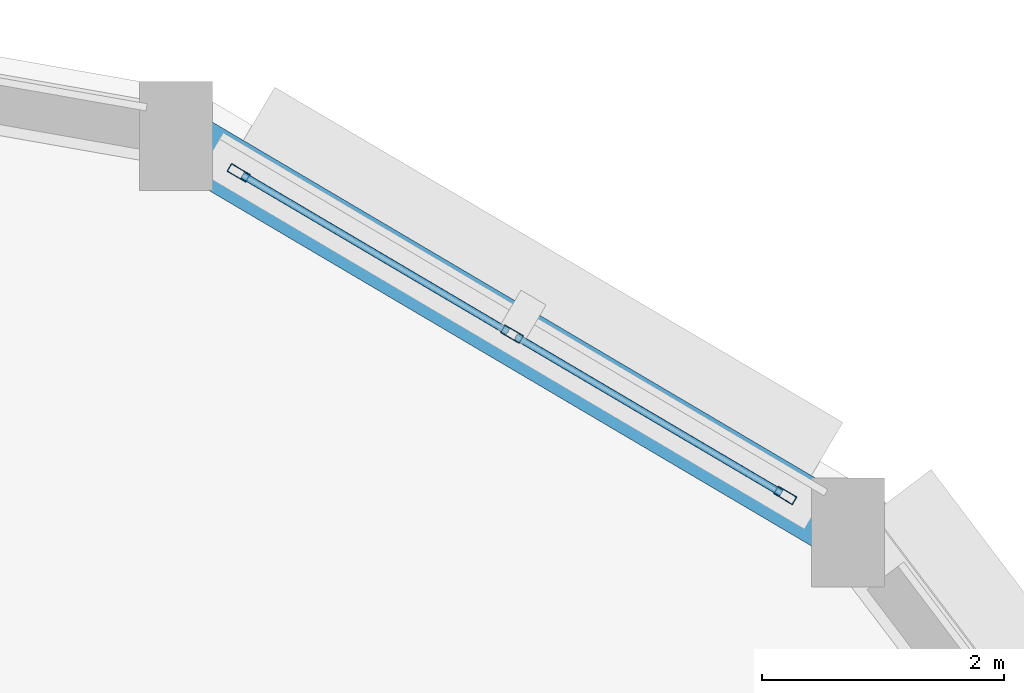
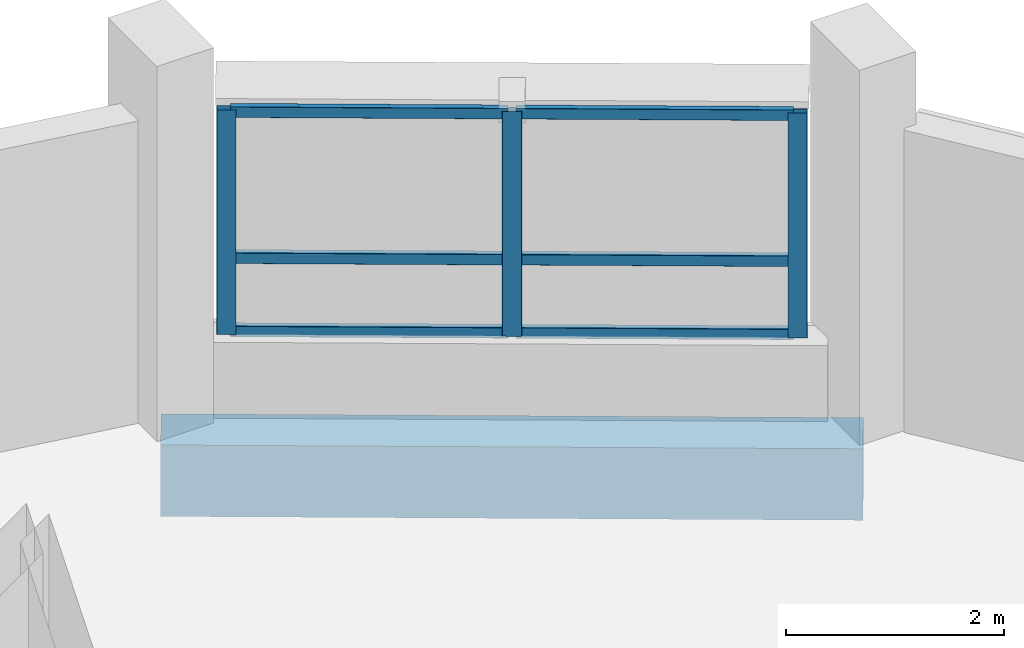
# One storey, part 99 of 128: 9 members, 1 beam, 1 element without a shape of its own.
"""IFC4 building model written with IfcOpenShell, lengths in metres."""

from ifc_helpers import new_model, si_unit, direction, frame, origin, origin_2d, place, context, subcontext, project, spatial, rectangle, hollow_rectangle, extrude, material, layer, layer_set, material_profile, profile_set, type_object, element, aggregate, save


model = new_model("IFC4")

# Units and contexts
model_context = context("Model", 3, precision=1e-05, world=origin(), true_north=direction((0.0, 1.0)))
body_context = subcontext(model_context, "Body", "Model", "MODEL_VIEW")
ifc_project = project(units=[si_unit("LENGTHUNIT", "METRE"), si_unit("AREAUNIT", "SQUARE_METRE"), si_unit("VOLUMEUNIT", "CUBIC_METRE"), si_unit("PLANEANGLEUNIT", "RADIAN"), si_unit("MASSUNIT", "GRAM", prefix="KILO")], contexts=[model_context])

# Site, building, storey
site_placement = place(None, origin())
site = spatial("IfcSite", under=ifc_project, at=site_placement, CompositionType="ELEMENT")
building_placement = place(site_placement, origin())
building = spatial("IfcBuilding", under=site, at=building_placement, Name="Vespera Passage Community Centre", CompositionType="ELEMENT")
storey_placement = place(building_placement, frame((0.0, 0.0, 4.5)))
storey = spatial("IfcBuildingStorey", under=building, at=storey_placement, Name="L01", CompositionType="ELEMENT", Elevation=4.5)

# Beam
ifc_material_1 = material(Name="Concrete f'c 35 MPa", Category="concrete")
ifc_material_profile_1 = material_profile(ifc_material_1, rectangle(XDim=0.5, YDim=0.800048828125, at=origin_2d()), Name="RC500X800")
ifc_profile_set_1 = profile_set([ifc_material_profile_1], Name="Concrete f'c 35 MPa")
beam_type = type_object("IfcBeamType", Name="BM-SP-500X800E", PredefinedType="SPANDREL", material=ifc_profile_set_1)
beam_placement = place(storey_placement, frame((155.091552734375, 100.17724609375, -0.639892578125), z_axis=(-0.861245535965, 0.508189065978, 0.0), x_axis=(-0.508189065978, -0.861245535965, 0.0)))
element("IfcBeam", 1, at=beam_placement, inside=storey, type_object=beam_type, Name="V2 L01 Perimeter Spandrel 3", PredefinedType="SPANDREL", context=body_context, shape_type="SweptSolid", body=[
    extrude(rectangle(XDim=0.5, YDim=0.800048828125, at=origin_2d()), origin(), (0.0, 0.0, 1.0), 6.44140625),
])

# Curtain wall, members
ifc_material_2 = material(Name="Anodized aluminium 6063-T6", Category="aluminium")
ifc_layer = layer(ifc_material_2, 0.159912109375)
ifc_layer_set = layer_set([ifc_layer], Name="Anodized aluminium 6063-T6")
curtain_wall_type = type_object("IfcCurtainWallType", Name="CW-94E", PredefinedType="NOTDEFINED", material=ifc_layer_set)
curtain_wall_placement = place(storey_placement, origin())
curtain_wall = element("IfcCurtainWall", 2, at=curtain_wall_placement, inside=storey, type_object=curtain_wall_type, Name="Sports Drum Ribbon Curtain Wall L01.3", PredefinedType="NOTDEFINED")
ifc_material_3 = material(Name="Anodized aluminium 6063-T6", Category="aluminium")
ifc_material_profile_2 = material_profile(ifc_material_3, hollow_rectangle(XDim=0.074951171875, YDim=0.179931640625, WallThickness=0.0048828125, InnerFilletRadius=0.00244140625, OuterFilletRadius=0.0048828125, at=origin_2d()), Name="ALU180X75X5")
ifc_profile_set_2 = profile_set([ifc_material_profile_2], Name="Anodized aluminium 6063-T6")
member_type_1 = type_object("IfcMemberType", Name="MB-CWM-180E", PredefinedType="MULLION", material=ifc_profile_set_2)
member_1_placement = place(storey_placement, frame((150.061279296875, 103.145263671875, 0.85009765625), z_axis=(0.0, 0.0, 1.0), x_axis=(0.50817007737, 0.861256740157, 0.0)))
member_1 = element("IfcMember", 3, at=member_1_placement, type_object=member_type_1, Name="CW-94E mullion 1", PredefinedType="MULLION", context=body_context, shape_type="SweptSolid", body=[
    extrude(hollow_rectangle(XDim=0.074951171875, YDim=0.179931640625, WallThickness=0.0048828125, InnerFilletRadius=0.00244140625, OuterFilletRadius=0.0048828125, at=origin_2d()), origin(), (0.0, 0.0, 1.0), 2.514892578125),
])
member_2_placement = place(storey_placement, frame((152.317626953125, 101.81396484375, 0.85009765625), z_axis=(0.0, 0.0, 1.0), x_axis=(0.50817007737, 0.861256740157, 0.0)))
member_2 = element("IfcMember", 4, at=member_2_placement, type_object=member_type_1, Name="CW-94E mullion 2", PredefinedType="MULLION", context=body_context, shape_type="SweptSolid", body=[
    extrude(hollow_rectangle(XDim=0.074951171875, YDim=0.179931640625, WallThickness=0.0048828125, InnerFilletRadius=0.00244140625, OuterFilletRadius=0.0048828125, at=origin_2d()), origin(), (0.0, 0.0, 1.0), 2.514892578125),
])
member_3_placement = place(storey_placement, frame((154.573974609375, 100.482666015625, 0.85009765625), z_axis=(0.0, 0.0, 1.0), x_axis=(0.50817007737, 0.861256740157, 0.0)))
member_3 = element("IfcMember", 5, at=member_3_placement, type_object=member_type_1, Name="CW-94E mullion 3", PredefinedType="MULLION", context=body_context, shape_type="SweptSolid", body=[
    extrude(hollow_rectangle(XDim=0.074951171875, YDim=0.179931640625, WallThickness=0.0048828125, InnerFilletRadius=0.00244140625, OuterFilletRadius=0.0048828125, at=origin_2d()), origin(), (0.0, 0.0, 1.0), 2.514892578125),
])
ifc_material_4 = material(Name="Anodized aluminium 6063-T6", Category="aluminium")
ifc_material_profile_3 = material_profile(ifc_material_4, hollow_rectangle(XDim=0.06005859375, YDim=0.1201171875, WallThickness=0.00390625, InnerFilletRadius=0.001953125, OuterFilletRadius=0.00390625, at=origin_2d()), Name="ALU120X60X4")
ifc_profile_set_3 = profile_set([ifc_material_profile_3], Name="Anodized aluminium 6063-T6")
member_type_2 = type_object("IfcMemberType", Name="MB-CWT-120E", PredefinedType="USERDEFINED", material=ifc_profile_set_3)
member_4_placement = place(storey_placement, frame((150.09375, 103.126220703125, 0.8798828125), z_axis=(0.861245323455, -0.508189426127, 0.0), x_axis=(0.508189426127, 0.861245323455, 0.0)))
member_4 = element("IfcMember", 6, at=member_4_placement, type_object=member_type_2, Name="CW-94E transom 1.1", ObjectType="TRANSOM", PredefinedType="USERDEFINED", context=body_context, shape_type="SweptSolid", body=[
    extrude(hollow_rectangle(XDim=0.06005859375, YDim=0.1201171875, WallThickness=0.00390625, InnerFilletRadius=0.001953125, OuterFilletRadius=0.00390625, at=origin_2d()), origin(), (0.0, 0.0, 1.0), 2.544677734375),
])
member_5_placement = place(storey_placement, frame((150.09375, 103.126220703125, 1.699951171875), z_axis=(0.861245323455, -0.508189426127, 0.0), x_axis=(0.508189426127, 0.861245323455, 0.0)))
member_5 = element("IfcMember", 7, at=member_5_placement, type_object=member_type_2, Name="CW-94E transom 1.2", ObjectType="TRANSOM", PredefinedType="USERDEFINED", context=body_context, shape_type="SweptSolid", body=[
    extrude(hollow_rectangle(XDim=0.06005859375, YDim=0.1201171875, WallThickness=0.00390625, InnerFilletRadius=0.001953125, OuterFilletRadius=0.00390625, at=origin_2d()), origin(), (0.0, 0.0, 1.0), 2.544677734375),
])
member_6_placement = place(storey_placement, frame((150.09375, 103.126220703125, 3.3349609375), z_axis=(0.861245323455, -0.508189426127, 0.0), x_axis=(0.508189426127, 0.861245323455, 0.0)))
member_6 = element("IfcMember", 8, at=member_6_placement, type_object=member_type_2, Name="CW-94E transom 1.3", ObjectType="TRANSOM", PredefinedType="USERDEFINED", context=body_context, shape_type="SweptSolid", body=[
    extrude(hollow_rectangle(XDim=0.06005859375, YDim=0.1201171875, WallThickness=0.00390625, InnerFilletRadius=0.001953125, OuterFilletRadius=0.00390625, at=origin_2d()), origin(), (0.0, 0.0, 1.0), 2.544677734375),
])
member_7_placement = place(storey_placement, frame((152.35009765625, 101.794921875, 0.8798828125), z_axis=(0.861245323455, -0.508189426127, 0.0), x_axis=(0.508189426127, 0.861245323455, 0.0)))
member_7 = element("IfcMember", 9, at=member_7_placement, type_object=member_type_2, Name="CW-94E transom 2.1", ObjectType="TRANSOM", PredefinedType="USERDEFINED", context=body_context, shape_type="SweptSolid", body=[
    extrude(hollow_rectangle(XDim=0.06005859375, YDim=0.1201171875, WallThickness=0.00390625, InnerFilletRadius=0.001953125, OuterFilletRadius=0.00390625, at=origin_2d()), origin(), (0.0, 0.0, 1.0), 2.544677734375),
])
member_8_placement = place(storey_placement, frame((152.35009765625, 101.794921875, 1.699951171875), z_axis=(0.861245323455, -0.508189426127, 0.0), x_axis=(0.508189426127, 0.861245323455, 0.0)))
member_8 = element("IfcMember", 10, at=member_8_placement, type_object=member_type_2, Name="CW-94E transom 2.2", ObjectType="TRANSOM", PredefinedType="USERDEFINED", context=body_context, shape_type="SweptSolid", body=[
    extrude(hollow_rectangle(XDim=0.06005859375, YDim=0.1201171875, WallThickness=0.00390625, InnerFilletRadius=0.001953125, OuterFilletRadius=0.00390625, at=origin_2d()), origin(), (0.0, 0.0, 1.0), 2.544677734375),
])
member_9_placement = place(storey_placement, frame((152.35009765625, 101.794921875, 3.3349609375), z_axis=(0.861245323455, -0.508189426127, 0.0), x_axis=(0.508189426127, 0.861245323455, 0.0)))
member_9 = element("IfcMember", 11, at=member_9_placement, type_object=member_type_2, Name="CW-94E transom 2.3", ObjectType="TRANSOM", PredefinedType="USERDEFINED", context=body_context, shape_type="SweptSolid", body=[
    extrude(hollow_rectangle(XDim=0.06005859375, YDim=0.1201171875, WallThickness=0.00390625, InnerFilletRadius=0.001953125, OuterFilletRadius=0.00390625, at=origin_2d()), origin(), (0.0, 0.0, 1.0), 2.544677734375),
])
aggregate(curtain_wall, [member_1, member_2, member_3, member_4, member_5, member_6, member_7, member_8, member_9])

save(model, "model.ifc")
